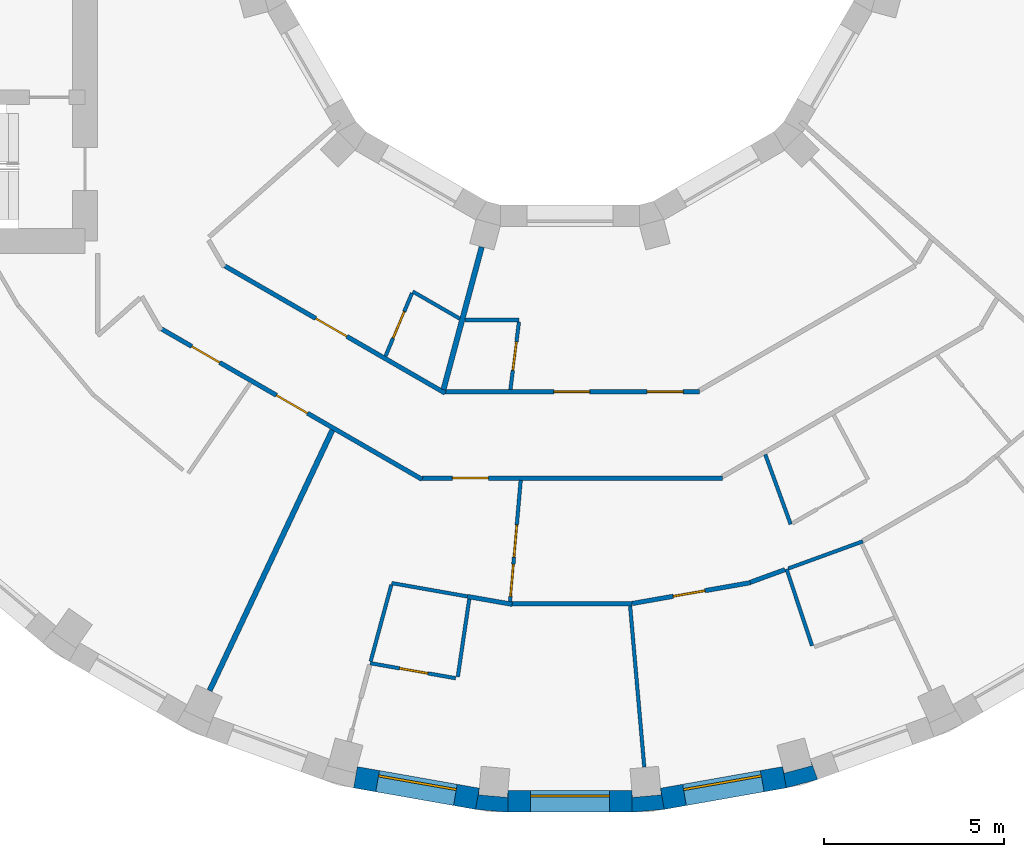
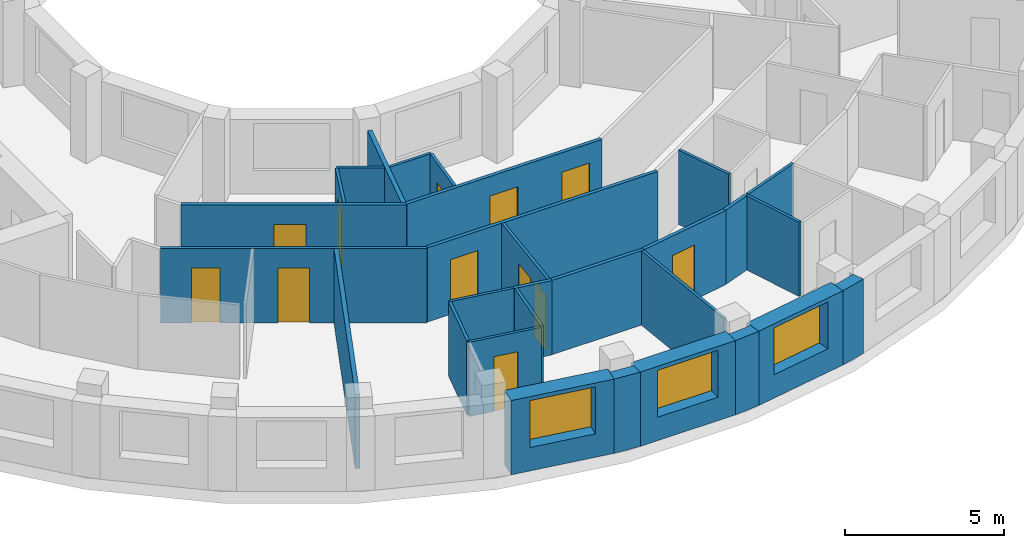
# One storey, part 4 of 13: 29 walls, 12 doors, 3 windows, 15 openings.
"""IFC4 building model written with IfcOpenShell, lengths in metres."""

from ifc_helpers import new_model, si_unit, direction, frame, frame_2d, origin, place, context, subcontext, project, spatial, polyline, rectangle, outline, extrude, material, layer, layer_set, type_object, element, fill, save


model = new_model("IFC4")

# Units and contexts
model_context = context("Model", 3, precision=1e-05, world=origin(), true_north=direction((0.0, 1.0)))
body_context = subcontext(model_context, "Body", "Model", "MODEL_VIEW")
ifc_project = project(units=[si_unit("LENGTHUNIT", "METRE"), si_unit("AREAUNIT", "SQUARE_METRE"), si_unit("VOLUMEUNIT", "CUBIC_METRE"), si_unit("PLANEANGLEUNIT", "RADIAN"), si_unit("MASSUNIT", "GRAM", prefix="KILO")], contexts=[model_context])

# Site, building, storey
site_placement = place(None, origin())
site = spatial("IfcSite", under=ifc_project, at=site_placement, CompositionType="ELEMENT")
building_placement = place(site_placement, origin())
building = spatial("IfcBuilding", under=site, at=building_placement, Name="Saqina Gate Tower", CompositionType="ELEMENT")
storey_placement = place(building_placement, frame((0.0, 0.0, 207.0)))
storey = spatial("IfcBuildingStorey", under=building, at=storey_placement, Name="L59", CompositionType="ELEMENT", Elevation=207.0)

# Walls
ifc_material_1 = material(Name="Brick masonry (buff)", Category="masonry")
wall_type_1 = type_object("IfcWallType", Name="BRICK PIER COPING BUFF", PredefinedType="SOLIDWALL", material=ifc_material_1)
wall_1_placement = place(storey_placement, origin())
element("IfcWall", 1, at=wall_1_placement, inside=storey, type_object=wall_type_1, Name="Pier cap L59 column 27", PredefinedType="SOLIDWALL", context=body_context, shape_type="SweptSolid", body=[
    extrude(outline(polyline([(-2.6259765625, -24.825927734375), (-1.724853515625, -24.90478515625), (-1.724853515625, -24.304931640625), (-1.7412109375, -24.491455078125), (-2.5380859375, -24.421630859375), (-2.521728515625, -24.235107421875), (-2.6259765625, -24.825927734375)])), origin(), (0.0, 0.0, 1.0), 2.85009765625),
])
wall_2_placement = place(storey_placement, origin())
element("IfcWall", 2, at=wall_2_placement, inside=storey, type_object=wall_type_1, Name="Pier cap L59 column 28", PredefinedType="SOLIDWALL", context=body_context, shape_type="SweptSolid", body=[
    extrude(outline(polyline([(1.724853515625, -24.90478515625), (2.6259765625, -24.825927734375), (2.521728515625, -24.235107421875), (2.5380859375, -24.421630859375), (1.7412109375, -24.491455078125), (1.724853515625, -24.304931640625), (1.724853515625, -24.90478515625)])), origin(), (0.0, 0.0, 1.0), 2.85009765625),
])
wall_3_placement = place(storey_placement, origin())
element("IfcWall", 3, at=wall_3_placement, inside=storey, type_object=wall_type_1, Name="Pier cap L59 column 29", PredefinedType="SOLIDWALL", context=body_context, shape_type="SweptSolid", body=[
    extrude(outline(polyline([(6.0234375, -24.22705078125), (6.897216796875, -23.992919921875), (6.69189453125, -23.428955078125), (6.740478515625, -23.610107421875), (5.967529296875, -23.81689453125), (5.919189453125, -23.635986328125), (6.0234375, -24.22705078125)])), origin(), (0.0, 0.0, 1.0), 2.85009765625),
])

# Wall, opening, window
ifc_material_2 = material(Name="Brick masonry (buff)", Category="masonry")
ifc_layer_1 = layer(ifc_material_2, 0.60009765625)
ifc_layer_set_1 = layer_set([ifc_layer_1], Name="FW-BRICK-BUFF")
wall_type_2 = type_object("IfcWallType", Name="FW-BRICK-BUFF", PredefinedType="SOLIDWALL", material=ifc_layer_set_1)
wall_4_placement = place(storey_placement, frame((-5.97119140625, -23.931640625, 0.0), z_axis=(0.0, 0.0, 1.0), x_axis=(0.984814892183, -0.173607684551, 0.0)))
wall_4 = element("IfcWall", 4, at=wall_4_placement, inside=storey, type_object=wall_type_2, Name="Facade wall L59 facet 26", PredefinedType="SOLIDWALL", context=body_context, shape_type="SweptSolid", body=[
    extrude(rectangle(XDim=3.44970703125, YDim=0.60009765625, at=frame_2d((1.724853515625, 0.0))), origin(), (0.0, 0.0, 1.0), 2.85009765625),
])
opening_1_placement = place(wall_4_placement, frame((0.625, 0.0, 0.89990234375)))
opening_1 = element("IfcOpeningElement", 5, at=opening_1_placement, cuts=wall_4, Name="Opening G17-W15", PredefinedType="OPENING", context=body_context, shape_type="SweptSolid", body=[
    extrude(rectangle(XDim=2.199951171875, YDim=1.800048828125, at=frame_2d((1.10009765625, 0.89990234375))), frame((0.0, 0.31201171875, 0.0), z_axis=(0.0, -1.0, 0.0), x_axis=(1.0, 0.0, 0.0)), (0.0, 0.0, 1.0), 0.6240234375),
])
ifc_material_3 = material(Name="Aluminium glazing", Category="aluminium")
window_type = type_object("IfcWindowType", Name="WN-C", PartitioningType="SINGLE_PANEL", PredefinedType="WINDOW", material=ifc_material_3)
window_1_placement = place(opening_1_placement, origin())
window_1 = element("IfcWindow", 6, at=window_1_placement, inside=storey, type_object=window_type, Name="Window L59 facet 26", OverallHeight=1.800048828125, OverallWidth=2.199951171875, PartitioningType="SINGLE_PANEL", PredefinedType="WINDOW", context=body_context, shape_type="SweptSolid", body=[
    extrude(rectangle(XDim=2.199951171875, YDim=1.800048828125, at=frame_2d((1.10009765625, 0.89990234375))), frame((0.0, 0.179931640625, 0.0), z_axis=(0.0, -1.0, 0.0), x_axis=(1.0, 0.0, 0.0)), (0.0, 0.0, 1.0), 0.06005859375),
])
fill(opening_1, window_1)

wall_5_placement = place(storey_placement, frame((-1.724853515625, -24.60498046875, 0.0), z_axis=(0.0, 0.0, 1.0), x_axis=(1.0, 0.0, 0.0)))
wall_5 = element("IfcWall", 7, at=wall_5_placement, inside=storey, type_object=wall_type_2, Name="Facade wall L59 facet 27", PredefinedType="SOLIDWALL", context=body_context, shape_type="SweptSolid", body=[
    extrude(rectangle(XDim=3.44970703125, YDim=0.60009765625, at=frame_2d((1.724853515625, 0.0))), origin(), (0.0, 0.0, 1.0), 2.85009765625),
])
opening_2_placement = place(wall_5_placement, frame((0.625, 0.0, 0.89990234375)))
opening_2 = element("IfcOpeningElement", 8, at=opening_2_placement, cuts=wall_5, Name="Opening G17-W16", PredefinedType="OPENING", context=body_context, shape_type="SweptSolid", body=[
    extrude(rectangle(XDim=2.199951171875, YDim=1.800048828125, at=frame_2d((1.10009765625, 0.89990234375))), frame((0.0, 0.31201171875, 0.0), z_axis=(0.0, -1.0, 0.0), x_axis=(1.0, 0.0, 0.0)), (0.0, 0.0, 1.0), 0.6240234375),
])
window_2_placement = place(opening_2_placement, origin())
window_2 = element("IfcWindow", 9, at=window_2_placement, inside=storey, type_object=window_type, Name="Window L59 facet 27", OverallHeight=1.800048828125, OverallWidth=2.199951171875, PartitioningType="SINGLE_PANEL", PredefinedType="WINDOW", context=body_context, shape_type="SweptSolid", body=[
    extrude(rectangle(XDim=2.199951171875, YDim=1.800048828125, at=frame_2d((1.10009765625, 0.89990234375))), frame((0.0, 0.179931640625, 0.0), z_axis=(0.0, -1.0, 0.0), x_axis=(1.0, 0.0, 0.0)), (0.0, 0.0, 1.0), 0.06005859375),
])
fill(opening_2, window_2)

wall_6_placement = place(storey_placement, frame((2.573974609375, -24.530517578125, 0.0), z_axis=(0.0, 0.0, 1.0), x_axis=(0.984814892183, 0.173607684551, 0.0)))
wall_6 = element("IfcWall", 10, at=wall_6_placement, inside=storey, type_object=wall_type_2, Name="Facade wall L59 facet 28", PredefinedType="SOLIDWALL", context=body_context, shape_type="SweptSolid", body=[
    extrude(rectangle(XDim=3.44970703125, YDim=0.60009765625, at=frame_2d((1.724853515625, 0.0))), origin(), (0.0, 0.0, 1.0), 2.85009765625),
])
opening_3_placement = place(wall_6_placement, frame((0.625, 0.0, 0.89990234375)))
opening_3 = element("IfcOpeningElement", 11, at=opening_3_placement, cuts=wall_6, Name="Opening G17-W17", PredefinedType="OPENING", context=body_context, shape_type="SweptSolid", body=[
    extrude(rectangle(XDim=2.199951171875, YDim=1.800048828125, at=frame_2d((1.10009765625, 0.89990234375))), frame((0.0, 0.31201171875, 0.0), z_axis=(0.0, -1.0, 0.0), x_axis=(1.0, 0.0, 0.0)), (0.0, 0.0, 1.0), 0.6240234375),
])
window_3_placement = place(opening_3_placement, origin())
window_3 = element("IfcWindow", 12, at=window_3_placement, inside=storey, type_object=window_type, Name="Window L59 facet 28", OverallHeight=1.800048828125, OverallWidth=2.199951171875, PartitioningType="SINGLE_PANEL", PredefinedType="WINDOW", context=body_context, shape_type="SweptSolid", body=[
    extrude(rectangle(XDim=2.199951171875, YDim=1.800048828125, at=frame_2d((1.10009765625, 0.89990234375))), frame((0.0, 0.179931640625, 0.0), z_axis=(0.0, -1.0, 0.0), x_axis=(1.0, 0.0, 0.0)), (0.0, 0.0, 1.0), 0.06005859375),
])
fill(opening_3, window_3)

# Walls
ifc_material_4 = material(Name="Gypsum board on steel studs, 100 mm", Category="steel")
ifc_layer_2 = layer(ifc_material_4, 0.10009765625)
ifc_layer_set_2 = layer_set([ifc_layer_2], Name="PARTITION 100")
wall_type_3 = type_object("IfcWallType", Name="PARTITION 100", PredefinedType="PARTITIONING", material=ifc_layer_set_2)
wall_7_placement = place(storey_placement, frame((1.6767578125, -19.167236328125, 0.0), z_axis=(0.0, 0.0, 1.0), x_axis=(0.087521667832, -0.996162616072, 0.0)))
element("IfcWall", 13, at=wall_7_placement, inside=storey, type_object=wall_type_3, Name="PARTITION PW3-01", PredefinedType="PARTITIONING", context=body_context, shape_type="SweptSolid", body=[
    extrude(rectangle(XDim=4.49951171875, YDim=0.10009765625, at=frame_2d((2.249755859375, 0.0))), origin(), (0.0, 0.0, 1.0), 2.85009765625),
])
wall_8_placement = place(storey_placement, frame((6.032958984375, -18.135009765625, 0.0), z_axis=(0.0, 0.0, 1.0), x_axis=(0.316032342538, -0.948748416847, 0.0)))
element("IfcWall", 14, at=wall_8_placement, inside=storey, type_object=wall_type_3, Name="PARTITION PW3-04", PredefinedType="PARTITIONING", context=body_context, shape_type="SweptSolid", body=[
    extrude(rectangle(XDim=2.248779296875, YDim=0.10009765625, at=frame_2d((1.12451171875, 0.0))), origin(), (0.0, 0.0, 1.0), 2.85009765625),
])
wall_9_placement = place(storey_placement, frame((5.439453125, -14.94384765625, 0.0), z_axis=(0.0, 0.0, 1.0), x_axis=(0.341828386263, -0.939762392493, 0.0)))
element("IfcWall", 15, at=wall_9_placement, inside=storey, type_object=wall_type_3, Name="PARTITION PW3-05", PredefinedType="PARTITIONING", context=body_context, shape_type="SweptSolid", body=[
    extrude(rectangle(XDim=2.067626953125, YDim=0.10009765625, at=frame_2d((1.03369140625, 0.0))), origin(), (0.0, 0.0, 1.0), 2.85009765625),
])
wall_10_placement = place(storey_placement, frame((-4.376953125, -10.406005859375, 0.0), z_axis=(0.0, 0.0, 1.0), x_axis=(0.86612113491, -0.499834152157, 0.0)))
element("IfcWall", 16, at=wall_10_placement, inside=storey, type_object=wall_type_3, Name="PARTITION PW3-28", PredefinedType="PARTITIONING", context=body_context, shape_type="SweptSolid", body=[
    extrude(rectangle(XDim=1.513671875, YDim=0.10009765625, at=frame_2d((0.7568359375, 0.0))), origin(), (0.0, 0.0, 1.0), 2.85009765625),
])

# Wall, opening, door
wall_11_placement = place(storey_placement, frame((-5.56103515625, -20.75390625, 0.0), z_axis=(0.0, 0.0, 1.0), x_axis=(0.984794734974, -0.173721990456, 0.0)))
wall_11 = element("IfcWall", 17, at=wall_11_placement, inside=storey, type_object=wall_type_3, Name="PARTITION PW3-35", PredefinedType="PARTITIONING", context=body_context, shape_type="SweptSolid", body=[
    extrude(rectangle(XDim=2.418701171875, YDim=0.10009765625, at=frame_2d((1.20947265625, 0.0))), origin(), (0.0, 0.0, 1.0), 2.85009765625),
])
opening_4_placement = place(wall_11_placement, frame((0.833740234375, 0.0, 0.0)))
opening_4 = element("IfcOpeningElement", 18, at=opening_4_placement, cuts=wall_11, Name="Opening G17-D32", PredefinedType="OPENING", context=body_context, shape_type="SweptSolid", body=[
    extrude(rectangle(XDim=0.800048828125, YDim=2.10009765625, at=frame_2d((0.39990234375, 1.050048828125))), frame((0.0, 0.06201171875, 0.0), z_axis=(0.0, -1.0, 0.0), x_axis=(1.0, 0.0, 0.0)), (0.0, 0.0, 1.0), 0.1240234375),
])
ifc_material_5 = material(Name="Timber door leaf, 800 mm", Category="wood")
door_type_1 = type_object("IfcDoorType", Name="DOOR 800 TIMBER", OperationType="SINGLE_SWING_LEFT", PredefinedType="DOOR", material=ifc_material_5)
door_1_placement = place(opening_4_placement, frame((0.800048828125, 0.0, 0.0), z_axis=(0.0, 0.0, 1.0), x_axis=(-1.0, 0.0, 0.0)))
door_1 = element("IfcDoor", 19, at=door_1_placement, inside=storey, type_object=door_type_1, Name="DOOR G17-D32", OperationType="SINGLE_SWING_LEFT", OverallHeight=2.10009765625, OverallWidth=0.800048828125, PredefinedType="DOOR", context=body_context, shape_type="SweptSolid", body=[
    extrude(rectangle(XDim=0.800048828125, YDim=2.10009765625, at=frame_2d((0.39990234375, 1.050048828125))), frame((0.0, 0.02490234375, 0.0), z_axis=(0.0, -1.0, 0.0), x_axis=(1.0, 0.0, 0.0)), (0.0, 0.0, 1.0), 0.050048828125),
])
fill(opening_4, door_1)

# Walls
wall_12_placement = place(storey_placement, frame((-4.962890625, -18.524169921875, 0.0), z_axis=(0.0, 0.0, 1.0), x_axis=(0.984783558818, -0.173785333909, 0.0)))
element("IfcWall", 20, at=wall_12_placement, inside=storey, type_object=wall_type_3, Name="PARTITION PW3-36", PredefinedType="PARTITIONING", context=body_context, shape_type="SweptSolid", body=[
    extrude(rectangle(XDim=2.140869140625, YDim=0.10009765625, at=frame_2d((1.0703125, 0.0))), origin(), (0.0, 0.0, 1.0), 2.85009765625),
])
wall_13_placement = place(storey_placement, frame((-2.926025390625, -11.199951171875, 0.0), z_axis=(0.0, 0.0, 1.0), x_axis=(1.0, 0.0, 0.0)))
element("IfcWall", 21, at=wall_13_placement, inside=storey, type_object=wall_type_3, Name="PARTITION PW3-37", PredefinedType="PARTITIONING", context=body_context, shape_type="SweptSolid", body=[
    extrude(rectangle(XDim=1.513916015625, YDim=0.10009765625, at=frame_2d((0.7568359375, 0.0))), origin(), (0.0, 0.0, 1.0), 2.85009765625),
])
wall_14_placement = place(storey_placement, frame((6.080078125, -18.117919921875, 0.0), z_axis=(0.0, 0.0, 1.0), x_axis=(0.939706230865, 0.341982747625, 0.0)))
element("IfcWall", 22, at=wall_14_placement, inside=storey, type_object=wall_type_3, Name="PARTITION PW3-40", PredefinedType="PARTITIONING", context=body_context, shape_type="SweptSolid", body=[
    extrude(rectangle(XDim=2.2080078125, YDim=0.10009765625, at=frame_2d((1.10400390625, 0.0))), origin(), (0.0, 0.0, 1.0), 2.85009765625),
])

# Wall, opening, door
wall_15_placement = place(storey_placement, frame((-5.134521484375, -12.2060546875, 0.0), z_axis=(0.0, 0.0, 1.0), x_axis=(0.387856236325, 0.921719881495, 0.0)))
wall_15 = element("IfcWall", 23, at=wall_15_placement, inside=storey, type_object=wall_type_3, Name="PARTITION PW3-63", PredefinedType="PARTITIONING", context=body_context, shape_type="SweptSolid", body=[
    extrude(rectangle(XDim=1.90283203125, YDim=0.10009765625, at=frame_2d((0.951416015625, 0.0))), origin(), (0.0, 0.0, 1.0), 2.85009765625),
])
opening_5_placement = place(wall_15_placement, frame((0.544921875, 0.0, 0.0)))
opening_5 = element("IfcOpeningElement", 24, at=opening_5_placement, cuts=wall_15, Name="Opening G17-D30", PredefinedType="OPENING", context=body_context, shape_type="SweptSolid", body=[
    extrude(rectangle(XDim=0.800048828125, YDim=2.10009765625, at=frame_2d((0.39990234375, 1.050048828125))), frame((0.0, 0.06201171875, 0.0), z_axis=(0.0, -1.0, 0.0), x_axis=(1.0, 0.0, 0.0)), (0.0, 0.0, 1.0), 0.1240234375),
])
door_2_placement = place(opening_5_placement, origin())
door_2 = element("IfcDoor", 25, at=door_2_placement, inside=storey, type_object=door_type_1, Name="DOOR G17-D30", OperationType="SINGLE_SWING_LEFT", OverallHeight=2.10009765625, OverallWidth=0.800048828125, PredefinedType="DOOR", context=body_context, shape_type="SweptSolid", body=[
    extrude(rectangle(XDim=0.800048828125, YDim=2.10009765625, at=frame_2d((0.39990234375, 1.050048828125))), frame((0.0, 0.02490234375, 0.0), z_axis=(0.0, -1.0, 0.0), x_axis=(1.0, 0.0, 0.0)), (0.0, 0.0, 1.0), 0.050048828125),
])
fill(opening_5, door_2)

# Walls
wall_16_placement = place(storey_placement, frame((-5.5478515625, -20.705810546875, 0.0), z_axis=(0.0, 0.0, 1.0), x_axis=(0.260881182377, 0.965370917669, 0.0)))
element("IfcWall", 26, at=wall_16_placement, inside=storey, type_object=wall_type_3, Name="PARTITION PW3-64", PredefinedType="PARTITIONING", context=body_context, shape_type="SweptSolid", body=[
    extrude(rectangle(XDim=2.20849609375, YDim=0.10009765625, at=frame_2d((1.104248046875, 0.0))), origin(), (0.0, 0.0, 1.0), 2.85009765625),
])
wall_17_placement = place(storey_placement, frame((-3.12158203125, -21.133544921875, 0.0), z_axis=(0.0, 0.0, 1.0), x_axis=(0.145934022426, 0.989294324809, 0.0)))
element("IfcWall", 27, at=wall_17_placement, inside=storey, type_object=wall_type_3, Name="PARTITION PW3-66", PredefinedType="PARTITIONING", context=body_context, shape_type="SweptSolid", body=[
    extrude(rectangle(XDim=2.188232421875, YDim=0.10009765625, at=frame_2d((1.09423828125, 0.0))), origin(), (0.0, 0.0, 1.0), 2.85009765625),
])

# Wall, opening, door
wall_18_placement = place(storey_placement, frame((-1.65625, -13.137939453125, 0.0), z_axis=(0.0, 0.0, 1.0), x_axis=(0.125060808232, 0.992149078639, 0.0)))
wall_18 = element("IfcWall", 28, at=wall_18_placement, inside=storey, type_object=wall_type_3, Name="PARTITION PW3-67", PredefinedType="PARTITIONING", context=body_context, shape_type="SweptSolid", body=[
    extrude(rectangle(XDim=1.9033203125, YDim=0.10009765625, at=frame_2d((0.95166015625, 0.0))), origin(), (0.0, 0.0, 1.0), 2.85009765625),
])
opening_6_placement = place(wall_18_placement, frame((0.54541015625, 0.0, 0.0)))
opening_6 = element("IfcOpeningElement", 29, at=opening_6_placement, cuts=wall_18, Name="Opening G17-D34", PredefinedType="OPENING", context=body_context, shape_type="SweptSolid", body=[
    extrude(rectangle(XDim=0.800048828125, YDim=2.10009765625, at=frame_2d((0.39990234375, 1.050048828125))), frame((0.0, 0.06201171875, 0.0), z_axis=(0.0, -1.0, 0.0), x_axis=(1.0, 0.0, 0.0)), (0.0, 0.0, 1.0), 0.1240234375),
])
door_3_placement = place(opening_6_placement, frame((0.800048828125, 0.0, 0.0), z_axis=(0.0, 0.0, 1.0), x_axis=(-1.0, 0.0, 0.0)))
door_3 = element("IfcDoor", 30, at=door_3_placement, inside=storey, type_object=door_type_1, Name="DOOR G17-D34", OperationType="SINGLE_SWING_RIGHT", OverallHeight=2.10009765625, OverallWidth=0.800048828125, PredefinedType="DOOR", context=body_context, shape_type="SweptSolid", body=[
    extrude(rectangle(XDim=0.800048828125, YDim=2.10009765625, at=frame_2d((0.39990234375, 1.050048828125))), frame((0.0, 0.02490234375, 0.0), z_axis=(0.0, -1.0, 0.0), x_axis=(1.0, 0.0, 0.0)), (0.0, 0.0, 1.0), 0.050048828125),
])
fill(opening_6, door_3)

# Wall, openings, doors
wall_19_placement = place(storey_placement, frame((-1.66552734375, -19.042724609375, 0.0), z_axis=(0.0, 0.0, 1.0), x_axis=(0.086986657325, 0.99620947669, 0.0)))
wall_19 = element("IfcWall", 31, at=wall_19_placement, inside=storey, type_object=wall_type_3, Name="PARTITION PW3-68", PredefinedType="PARTITIONING", context=body_context, shape_type="SweptSolid", body=[
    extrude(rectangle(XDim=3.393310546875, YDim=0.10009765625, at=frame_2d((1.69677734375, 0.0))), origin(), (0.0, 0.0, 1.0), 2.85009765625),
])
opening_7_placement = place(wall_19_placement, frame((1.24658203125, 0.0, 0.0)))
opening_7 = element("IfcOpeningElement", 32, at=opening_7_placement, cuts=wall_19, Name="Opening G17-D35", PredefinedType="OPENING", context=body_context, shape_type="SweptSolid", body=[
    extrude(rectangle(XDim=0.89990234375, YDim=2.10009765625, at=frame_2d((0.449951171875, 1.050048828125))), frame((0.0, 0.06201171875, 0.0), z_axis=(0.0, -1.0, 0.0), x_axis=(1.0, 0.0, 0.0)), (0.0, 0.0, 1.0), 0.1240234375),
])
opening_8_placement = place(wall_19_placement, frame((0.146728515625, 0.0, 0.0)))
opening_8 = element("IfcOpeningElement", 33, at=opening_8_placement, cuts=wall_19, Name="Opening G17-D36", PredefinedType="OPENING", context=body_context, shape_type="SweptSolid", body=[
    extrude(rectangle(XDim=0.89990234375, YDim=2.10009765625, at=frame_2d((0.449951171875, 1.050048828125))), frame((0.0, 0.06201171875, 0.0), z_axis=(0.0, -1.0, 0.0), x_axis=(1.0, 0.0, 0.0)), (0.0, 0.0, 1.0), 0.1240234375),
])
ifc_material_6 = material(Name="Timber door leaf, 900 mm", Category="wood")
door_type_2 = type_object("IfcDoorType", Name="DOOR 900 TIMBER", OperationType="SINGLE_SWING_LEFT", PredefinedType="DOOR", material=ifc_material_6)
door_4_placement = place(opening_7_placement, frame((0.89990234375, 0.0, 0.0), z_axis=(0.0, 0.0, 1.0), x_axis=(-1.0, 0.0, 0.0)))
door_4 = element("IfcDoor", 34, at=door_4_placement, inside=storey, type_object=door_type_2, Name="DOOR G17-D35", OperationType="SINGLE_SWING_LEFT", OverallHeight=2.10009765625, OverallWidth=0.89990234375, PredefinedType="DOOR", context=body_context, shape_type="SweptSolid", body=[
    extrude(rectangle(XDim=0.89990234375, YDim=2.10009765625, at=frame_2d((0.449951171875, 1.050048828125))), frame((0.0, 0.02490234375, 0.0), z_axis=(0.0, -1.0, 0.0), x_axis=(1.0, 0.0, 0.0)), (0.0, 0.0, 1.0), 0.050048828125),
])
fill(opening_7, door_4)
door_5_placement = place(opening_8_placement, frame((0.89990234375, 0.0, 0.0), z_axis=(0.0, 0.0, 1.0), x_axis=(-1.0, 0.0, 0.0)))
door_5 = element("IfcDoor", 35, at=door_5_placement, inside=storey, type_object=door_type_2, Name="DOOR G17-D36", OperationType="SINGLE_SWING_RIGHT", OverallHeight=2.10009765625, OverallWidth=0.89990234375, PredefinedType="DOOR", context=body_context, shape_type="SweptSolid", body=[
    extrude(rectangle(XDim=0.89990234375, YDim=2.10009765625, at=frame_2d((0.449951171875, 1.050048828125))), frame((0.0, 0.02490234375, 0.0), z_axis=(0.0, -1.0, 0.0), x_axis=(1.0, 0.0, 0.0)), (0.0, 0.0, 1.0), 0.050048828125),
])
fill(opening_8, door_5)

ifc_material_7 = material(Name="Gypsum board on steel studs, 125 mm, fire rated", Category="steel")
ifc_layer_3 = layer(ifc_material_7, 0.125)
ifc_layer_set_3 = layer_set([ifc_layer_3], Name="PARTITION EI 30 125")
wall_type_4 = type_object("IfcWallType", Name="PARTITION EI 30 125", PredefinedType="PARTITIONING", material=ifc_layer_set_3)
wall_20_placement = place(storey_placement, frame((-11.365966796875, -11.451171875, 0.0), z_axis=(0.0, 0.0, 1.0), x_axis=(0.866023369196, -0.500003523994, 0.0)))
wall_20 = element("IfcWall", 36, at=wall_20_placement, inside=storey, type_object=wall_type_4, Name="PARTITION PW1-16", PredefinedType="PARTITIONING", context=body_context, shape_type="SweptSolid", body=[
    extrude(rectangle(XDim=8.37109375, YDim=0.125, at=frame_2d((4.185546875, 0.0))), origin(), (0.0, 0.0, 1.0), 2.85009765625),
])
opening_9_placement = place(wall_20_placement, frame((0.965576171875, 0.0, 0.0)))
opening_9 = element("IfcOpeningElement", 37, at=opening_9_placement, cuts=wall_20, Name="Opening G17-D27", PredefinedType="OPENING", context=body_context, shape_type="SweptSolid", body=[
    extrude(rectangle(XDim=0.89990234375, YDim=2.10009765625, at=frame_2d((0.449951171875, 1.050048828125))), frame((0.0, 0.074462890625, 0.0), z_axis=(0.0, -1.0, 0.0), x_axis=(1.0, 0.0, 0.0)), (0.0, 0.0, 1.0), 0.14892578125),
])
opening_10_placement = place(wall_20_placement, frame((3.687744140625, 0.0, 0.0)))
opening_10 = element("IfcOpeningElement", 38, at=opening_10_placement, cuts=wall_20, Name="Opening G17-D29", PredefinedType="OPENING", context=body_context, shape_type="SweptSolid", body=[
    extrude(rectangle(XDim=1.0, YDim=2.10009765625, at=frame_2d((0.5, 1.050048828125))), frame((0.0, 0.074462890625, 0.0), z_axis=(0.0, -1.0, 0.0), x_axis=(1.0, 0.0, 0.0)), (0.0, 0.0, 1.0), 0.14892578125),
])
ifc_material_8 = material(Name="Fire door leaf EI 30, 1000 mm")
door_type_3 = type_object("IfcDoorType", Name="DOOR 1000 EI 30", OperationType="SINGLE_SWING_LEFT", PredefinedType="DOOR", material=ifc_material_8)
door_6_placement = place(opening_10_placement, origin())
door_6 = element("IfcDoor", 39, at=door_6_placement, inside=storey, type_object=door_type_3, Name="DOOR G17-D29", OperationType="SINGLE_SWING_RIGHT", OverallHeight=2.10009765625, OverallWidth=1.0, PredefinedType="DOOR", context=body_context, shape_type="SweptSolid", body=[
    extrude(rectangle(XDim=1.0, YDim=2.10009765625, at=frame_2d((0.5, 1.050048828125))), frame((0.0, 0.02490234375, 0.0), z_axis=(0.0, -1.0, 0.0), x_axis=(1.0, 0.0, 0.0)), (0.0, 0.0, 1.0), 0.050048828125),
])
fill(opening_10, door_6)
ifc_material_9 = material(Name="Fire door leaf EI 30, 900 mm")
door_type_4 = type_object("IfcDoorType", Name="DOOR 900 EI 30", OperationType="SINGLE_SWING_LEFT", PredefinedType="DOOR", material=ifc_material_9)
door_7_placement = place(opening_9_placement, frame((0.89990234375, 0.0, 0.0), z_axis=(0.0, 0.0, 1.0), x_axis=(-1.0, 0.0, 0.0)))
door_7 = element("IfcDoor", 40, at=door_7_placement, inside=storey, type_object=door_type_4, Name="DOOR G17-D27", OperationType="SINGLE_SWING_RIGHT", OverallHeight=2.10009765625, OverallWidth=0.89990234375, PredefinedType="DOOR", context=body_context, shape_type="SweptSolid", body=[
    extrude(rectangle(XDim=0.89990234375, YDim=2.10009765625, at=frame_2d((0.449951171875, 1.050048828125))), frame((0.0, 0.02490234375, 0.0), z_axis=(0.0, -1.0, 0.0), x_axis=(1.0, 0.0, 0.0)), (0.0, 0.0, 1.0), 0.050048828125),
])
fill(opening_9, door_7)

# Wall, opening, door
wall_21_placement = place(storey_placement, frame((-9.60888671875, -9.6943359375, 0.0), z_axis=(0.0, 0.0, 1.0), x_axis=(0.866017984103, -0.500012851046, 0.0)))
wall_21 = element("IfcWall", 41, at=wall_21_placement, inside=storey, type_object=wall_type_4, Name="PARTITION PW1-17", PredefinedType="PARTITIONING", context=body_context, shape_type="SweptSolid", body=[
    extrude(rectangle(XDim=7.083251953125, YDim=0.125, at=frame_2d((3.54150390625, 0.0))), origin(), (0.0, 0.0, 1.0), 2.85009765625),
])
opening_11_placement = place(wall_21_placement, frame((2.923095703125, 0.0, 0.0)))
opening_11 = element("IfcOpeningElement", 42, at=opening_11_placement, cuts=wall_21, Name="Opening G17-D28", PredefinedType="OPENING", context=body_context, shape_type="SweptSolid", body=[
    extrude(rectangle(XDim=1.0, YDim=2.10009765625, at=frame_2d((0.5, 1.050048828125))), frame((0.0, 0.074462890625, 0.0), z_axis=(0.0, -1.0, 0.0), x_axis=(1.0, 0.0, 0.0)), (0.0, 0.0, 1.0), 0.14892578125),
])
door_8_placement = place(opening_11_placement, origin())
door_8 = element("IfcDoor", 43, at=door_8_placement, inside=storey, type_object=door_type_3, Name="DOOR G17-D28", OperationType="SINGLE_SWING_LEFT", OverallHeight=2.10009765625, OverallWidth=1.0, PredefinedType="DOOR", context=body_context, shape_type="SweptSolid", body=[
    extrude(rectangle(XDim=1.0, YDim=2.10009765625, at=frame_2d((0.5, 1.050048828125))), frame((0.0, 0.02490234375, 0.0), z_axis=(0.0, -1.0, 0.0), x_axis=(1.0, 0.0, 0.0)), (0.0, 0.0, 1.0), 0.050048828125),
])
fill(opening_11, door_8)

# Walls
wall_22_placement = place(storey_placement, frame((-2.854736328125, -18.897216796875, 0.0), z_axis=(0.0, 0.0, 1.0), x_axis=(0.984944347712, -0.17287172097, 0.0)))
element("IfcWall", 44, at=wall_22_placement, inside=storey, type_object=wall_type_4, Name="PARTITION PW1-19", PredefinedType="PARTITIONING", context=body_context, shape_type="SweptSolid", body=[
    extrude(rectangle(XDim=1.265380859375, YDim=0.125, at=frame_2d((0.6328125, 0.0))), origin(), (0.0, 0.0, 1.0), 2.85009765625),
])
wall_23_placement = place(storey_placement, frame((-1.6083984375, -19.10498046875, 0.0), z_axis=(0.0, 0.0, 1.0), x_axis=(1.0, 0.0, 0.0)))
element("IfcWall", 45, at=wall_23_placement, inside=storey, type_object=wall_type_4, Name="PARTITION PW1-20", PredefinedType="PARTITIONING", context=body_context, shape_type="SweptSolid", body=[
    extrude(rectangle(XDim=3.3427734375, YDim=0.125, at=frame_2d((1.67138671875, 0.0))), origin(), (0.0, 0.0, 1.0), 2.85009765625),
])

# Wall, opening, door
wall_24_placement = place(storey_placement, frame((-4.116455078125, -15.60009765625, 0.0), z_axis=(0.0, 0.0, 1.0), x_axis=(1.0, 0.0, 0.0)))
wall_24 = element("IfcWall", 46, at=wall_24_placement, inside=storey, type_object=wall_type_4, Name="PARTITION PW1-21", PredefinedType="PARTITIONING", context=body_context, shape_type="SweptSolid", body=[
    extrude(rectangle(XDim=8.36865234375, YDim=0.125, at=frame_2d((4.184326171875, 0.0))), origin(), (0.0, 0.0, 1.0), 2.85009765625),
])
opening_12_placement = place(wall_24_placement, frame((0.844482421875, 0.0, 0.0)))
opening_12 = element("IfcOpeningElement", 47, at=opening_12_placement, cuts=wall_24, Name="Opening G17-D33", PredefinedType="OPENING", context=body_context, shape_type="SweptSolid", body=[
    extrude(rectangle(XDim=1.0, YDim=2.10009765625, at=frame_2d((0.5, 1.050048828125))), frame((0.0, 0.074462890625, 0.0), z_axis=(0.0, -1.0, 0.0), x_axis=(1.0, 0.0, 0.0)), (0.0, 0.0, 1.0), 0.14892578125),
])
door_9_placement = place(opening_12_placement, frame((1.0, 0.0, 0.0), z_axis=(0.0, 0.0, 1.0), x_axis=(-1.0, 0.0, 0.0)))
door_9 = element("IfcDoor", 48, at=door_9_placement, inside=storey, type_object=door_type_3, Name="DOOR G17-D33", OperationType="SINGLE_SWING_RIGHT", OverallHeight=2.10009765625, OverallWidth=1.0, PredefinedType="DOOR", context=body_context, shape_type="SweptSolid", body=[
    extrude(rectangle(XDim=1.0, YDim=2.10009765625, at=frame_2d((0.5, 1.050048828125))), frame((0.0, 0.02490234375, 0.0), z_axis=(0.0, -1.0, 0.0), x_axis=(1.0, 0.0, 0.0)), (0.0, 0.0, 1.0), 0.050048828125),
])
fill(opening_12, door_9)

# Wall, openings, doors
wall_25_placement = place(storey_placement, frame((-3.474609375, -13.199951171875, 0.0), z_axis=(0.0, 0.0, 1.0), x_axis=(1.0, 0.0, 0.0)))
wall_25 = element("IfcWall", 49, at=wall_25_placement, inside=storey, type_object=wall_type_4, Name="PARTITION PW1-22", PredefinedType="PARTITIONING", context=body_context, shape_type="SweptSolid", body=[
    extrude(rectangle(XDim=7.083740234375, YDim=0.125, at=frame_2d((3.5419921875, 0.0))), origin(), (0.0, 0.0, 1.0), 2.85009765625),
])
opening_13_placement = place(wall_25_placement, frame((3.025390625, 0.0, 0.0)))
opening_13 = element("IfcOpeningElement", 50, at=opening_13_placement, cuts=wall_25, Name="Opening G17-D37", PredefinedType="OPENING", context=body_context, shape_type="SweptSolid", body=[
    extrude(rectangle(XDim=1.0, YDim=2.10009765625, at=frame_2d((0.5, 1.050048828125))), frame((0.0, 0.074462890625, 0.0), z_axis=(0.0, -1.0, 0.0), x_axis=(1.0, 0.0, 0.0)), (0.0, 0.0, 1.0), 0.14892578125),
])
opening_14_placement = place(wall_25_placement, frame((5.62646484375, 0.0, 0.0)))
opening_14 = element("IfcOpeningElement", 51, at=opening_14_placement, cuts=wall_25, Name="Opening G17-D39", PredefinedType="OPENING", context=body_context, shape_type="SweptSolid", body=[
    extrude(rectangle(XDim=1.0, YDim=2.10009765625, at=frame_2d((0.5, 1.050048828125))), frame((0.0, 0.074462890625, 0.0), z_axis=(0.0, -1.0, 0.0), x_axis=(1.0, 0.0, 0.0)), (0.0, 0.0, 1.0), 0.14892578125),
])
door_10_placement = place(opening_13_placement, origin())
door_10 = element("IfcDoor", 52, at=door_10_placement, inside=storey, type_object=door_type_3, Name="DOOR G17-D37", OperationType="SINGLE_SWING_LEFT", OverallHeight=2.10009765625, OverallWidth=1.0, PredefinedType="DOOR", context=body_context, shape_type="SweptSolid", body=[
    extrude(rectangle(XDim=1.0, YDim=2.10009765625, at=frame_2d((0.5, 1.050048828125))), frame((0.0, 0.02490234375, 0.0), z_axis=(0.0, -1.0, 0.0), x_axis=(1.0, 0.0, 0.0)), (0.0, 0.0, 1.0), 0.050048828125),
])
fill(opening_13, door_10)
door_11_placement = place(opening_14_placement, origin())
door_11 = element("IfcDoor", 53, at=door_11_placement, inside=storey, type_object=door_type_3, Name="DOOR G17-D39", OperationType="SINGLE_SWING_RIGHT", OverallHeight=2.10009765625, OverallWidth=1.0, PredefinedType="DOOR", context=body_context, shape_type="SweptSolid", body=[
    extrude(rectangle(XDim=1.0, YDim=2.10009765625, at=frame_2d((0.5, 1.050048828125))), frame((0.0, 0.02490234375, 0.0), z_axis=(0.0, -1.0, 0.0), x_axis=(1.0, 0.0, 0.0)), (0.0, 0.0, 1.0), 0.050048828125),
])
fill(opening_14, door_11)

# Wall, opening, door
wall_26_placement = place(storey_placement, frame((1.732421875, -19.093994140625, 0.0), z_axis=(0.0, 0.0, 1.0), x_axis=(0.984782824009, 0.173789497774, 0.0)))
wall_26 = element("IfcWall", 54, at=wall_26_placement, inside=storey, type_object=wall_type_4, Name="PARTITION PW1-25", PredefinedType="PARTITIONING", context=body_context, shape_type="SweptSolid", body=[
    extrude(rectangle(XDim=3.3447265625, YDim=0.125, at=frame_2d((1.67236328125, 0.0))), origin(), (0.0, 0.0, 1.0), 2.85009765625),
])
opening_15_placement = place(wall_26_placement, frame((1.159423828125, 0.0, 0.0)))
opening_15 = element("IfcOpeningElement", 55, at=opening_15_placement, cuts=wall_26, Name="Opening G17-D38", PredefinedType="OPENING", context=body_context, shape_type="SweptSolid", body=[
    extrude(rectangle(XDim=0.89990234375, YDim=2.10009765625, at=frame_2d((0.449951171875, 1.050048828125))), frame((0.0, 0.074462890625, 0.0), z_axis=(0.0, -1.0, 0.0), x_axis=(1.0, 0.0, 0.0)), (0.0, 0.0, 1.0), 0.14892578125),
])
door_12_placement = place(opening_15_placement, origin())
door_12 = element("IfcDoor", 56, at=door_12_placement, inside=storey, type_object=door_type_4, Name="DOOR G17-D38", OperationType="SINGLE_SWING_LEFT", OverallHeight=2.10009765625, OverallWidth=0.89990234375, PredefinedType="DOOR", context=body_context, shape_type="SweptSolid", body=[
    extrude(rectangle(XDim=0.89990234375, YDim=2.10009765625, at=frame_2d((0.449951171875, 1.050048828125))), frame((0.0, 0.02490234375, 0.0), z_axis=(0.0, -1.0, 0.0), x_axis=(1.0, 0.0, 0.0)), (0.0, 0.0, 1.0), 0.050048828125),
])
fill(opening_15, door_12)

# Walls
wall_27_placement = place(storey_placement, frame((5.022705078125, -18.502685546875, 0.0), z_axis=(0.0, 0.0, 1.0), x_axis=(0.939605522223, 0.34225934992, 0.0)))
element("IfcWall", 57, at=wall_27_placement, inside=storey, type_object=wall_type_4, Name="PARTITION PW1-26", PredefinedType="PARTITIONING", context=body_context, shape_type="SweptSolid", body=[
    extrude(rectangle(XDim=1.025146484375, YDim=0.125, at=frame_2d((0.5126953125, 0.0))), origin(), (0.0, 0.0, 1.0), 2.85009765625),
])
ifc_material_10 = material(Name="Gypsum board on steel studs, 150 mm, fire rated", Category="steel")
ifc_layer_4 = layer(ifc_material_10, 0.14990234375)
ifc_layer_set_4 = layer_set([ifc_layer_4], Name="PARTITION EI 60 150")
wall_type_5 = type_object("IfcWallType", Name="PARTITION EI 60 150", PredefinedType="PARTITIONING", material=ifc_layer_set_4)
wall_28_placement = place(storey_placement, frame((-10.03125, -21.5166015625, 0.0), z_axis=(0.0, 0.0, 1.0), x_axis=(0.426351254657, 0.904557686194, 0.0)))
element("IfcWall", 58, at=wall_28_placement, inside=storey, type_object=wall_type_5, Name="PARTITION PW2-05", PredefinedType="PARTITIONING", context=body_context, shape_type="SweptSolid", body=[
    extrude(rectangle(XDim=8.017822265625, YDim=0.14990234375, at=frame_2d((4.0087890625, 0.0))), origin(), (0.0, 0.0, 1.0), 2.85009765625),
])
wall_29_placement = place(storey_placement, frame((-3.520751953125, -13.1396484375, 0.0), z_axis=(0.0, 0.0, 1.0), x_axis=(0.258863724951, 0.965913853252, 0.0)))
element("IfcWall", 59, at=wall_29_placement, inside=storey, type_object=wall_type_5, Name="PARTITION PW2-07", PredefinedType="PARTITIONING", context=body_context, shape_type="SweptSolid", body=[
    extrude(rectangle(XDim=4.111083984375, YDim=0.14990234375, at=frame_2d((2.0556640625, 0.0))), origin(), (0.0, 0.0, 1.0), 2.85009765625),
])

save(model, "model.ifc")
